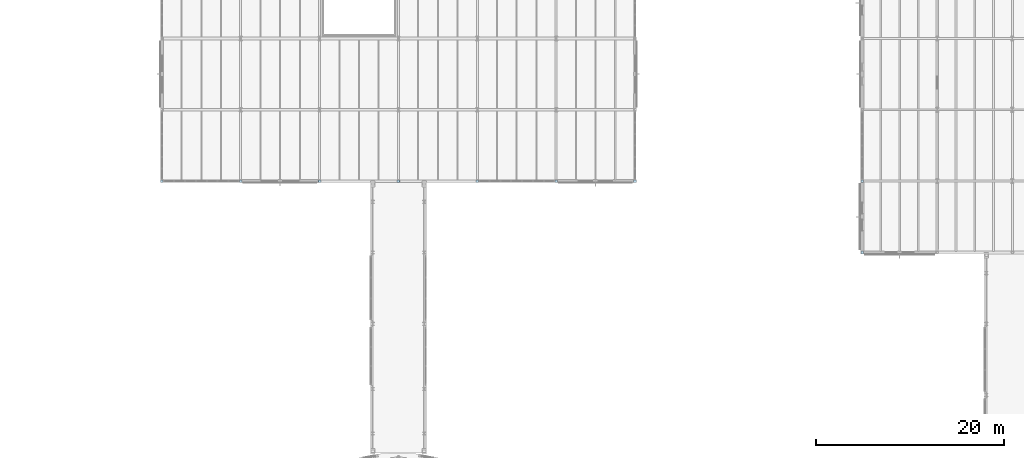
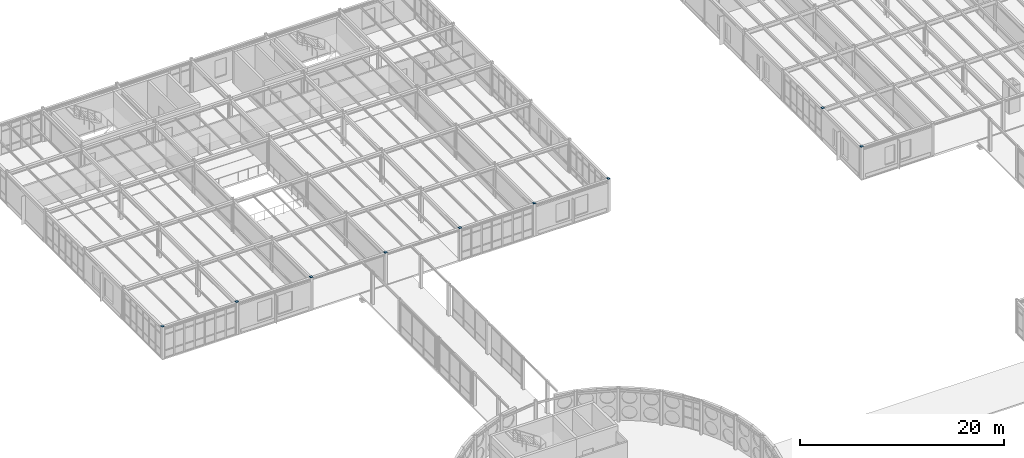
# One storey, part 155 of 189: 9 plates.
"""IFC4 building model written with IfcOpenShell, lengths in metres."""

import ifcopenshell
import ifcopenshell.guid

model = None  # the IFC model being written
_history = None  # IfcOwnerHistory: only IFC2X3 demands one
_inside = {}  # id of a spatial element -> (the spatial element, [elements in it])
_under = {}  # id of a project, library or spatial element -> (it, [spatial elements below it])
_declared = {}  # id of a project -> (the project, [libraries it declares])
_typed = {}  # id of a type object -> (the type object, [elements of that type])
_made_of = {}  # id of a material, layer set ... -> (it, [elements and type objects made of it])


def new_model(schema):
    """Start an empty IFC model of exactly this schema.

    Asked for "IFC4X3", IfcOpenShell would pick the latest addendum, in which some entities
    have other attributes; the version numbers below select the first issue.
    IFC2X3 requires an IfcOwnerHistory on every rooted entity: one is made here for all.
    """
    global model, _history
    if schema == "IFC4X3":
        model = ifcopenshell.file(schema_version=(4, 3, 0, 0))
    else:
        model = ifcopenshell.file(schema=schema)
    _inside.clear()
    _under.clear()
    _declared.clear()
    _typed.clear()
    _made_of.clear()
    _history = None
    if model.schema == "IFC2X3":
        org = make("IfcOrganization", Name="unknown")
        user = make(
            "IfcPersonAndOrganization",
            ThePerson=make("IfcPerson", FamilyName="unknown"),
            TheOrganization=org,
        )
        app = make(
            "IfcApplication",
            ApplicationDeveloper=org,
            Version="unknown",
            ApplicationFullName="unknown",
            ApplicationIdentifier="unknown",
        )
        _history = make(
            "IfcOwnerHistory",
            OwningUser=user,
            OwningApplication=app,
            ChangeAction="ADDED",
            CreationDate=0,
        )
    return model


def make(cls, **values):
    """One entity of the class cls with the attributes given. An attribute that is None is left unset."""
    return model.create_entity(
        cls, **{name: value for name, value in values.items() if value is not None}
    )


def rooted(cls, **values):
    """An entity with a GlobalId (a new one), such as an element, a storey or a relation."""
    return make(cls, GlobalId=ifcopenshell.guid.new(), OwnerHistory=_history, **values)


def si_unit(unit_type, name, prefix=None):
    """IfcSIUnit, for example si_unit("LENGTHUNIT", "METRE", prefix="MILLI")."""
    return make("IfcSIUnit", UnitType=unit_type, Prefix=prefix, Name=name)


def assignment(units):
    """IfcUnitAssignment: the units of a project."""
    return None if units is None else make("IfcUnitAssignment", Units=units)


def point(xyz):
    """IfcCartesianPoint."""
    return None if xyz is None else make("IfcCartesianPoint", Coordinates=xyz)


def direction(xyz):
    """IfcDirection."""
    return None if xyz is None else make("IfcDirection", DirectionRatios=xyz)


def frame(location, z_axis=None, x_axis=None):
    """IfcAxis2Placement3D, a coordinate frame: its origin and axes. An axis left out is left unset."""
    return make(
        "IfcAxis2Placement3D",
        Location=point(location),
        Axis=direction(z_axis),
        RefDirection=direction(x_axis),
    )


def frame_2d(location, x_axis=None):
    """IfcAxis2Placement2D, a coordinate frame in the plane: its origin and x axis."""
    return make(
        "IfcAxis2Placement2D", Location=point(location), RefDirection=direction(x_axis)
    )


def origin():
    """The frame at (0, 0, 0) with its axes left unset."""
    return frame((0.0, 0.0, 0.0))


def origin_2d():
    """The frame at (0, 0) in the plane with its x axis left unset."""
    return frame_2d((0.0, 0.0))


def place(relative_to, where):
    """IfcLocalPlacement: puts the frame where relative to a parent placement (None: the world)."""
    return make(
        "IfcLocalPlacement", PlacementRelTo=relative_to, RelativePlacement=where
    )


def context(
    kind, dimensions, precision=None, world=None, true_north=None, identifier=None
):
    """IfcGeometricRepresentationContext, for example the 3D "Model" context."""
    return make(
        "IfcGeometricRepresentationContext",
        ContextIdentifier=identifier,
        ContextType=kind,
        CoordinateSpaceDimension=dimensions,
        Precision=precision,
        WorldCoordinateSystem=world,
        TrueNorth=true_north,
    )


def subcontext(parent, identifier, kind, view, scale=None):
    """IfcGeometricRepresentationSubContext, for example "Body" below "Model"."""
    return make(
        "IfcGeometricRepresentationSubContext",
        ContextIdentifier=identifier,
        ContextType=kind,
        ParentContext=parent,
        TargetScale=scale,
        TargetView=view,
    )


def project(units=None, contexts=None):
    """IfcProject with its units and contexts."""
    return rooted(
        "IfcProject",
        Name="project",
        RepresentationContexts=contexts,
        UnitsInContext=assignment(units),
    )


def spatial(cls, under=None, at=None, **own):
    """A site, building, storey or space (cls), placed at a placement, below another one or the project."""
    s = rooted(cls, ObjectPlacement=at, **own)
    if under is not None:
        _under.setdefault(under.id(), (under, []))[1].append(s)
    return s


def profile(cls, at=None, kind="AREA", **sizes):
    """A parametric profile (cls). Its sizes go by their IFC names, for example OverallWidth=200.0."""
    return make(cls, ProfileType=kind, Position=at, **sizes)


def rectangle(**sizes):
    """IfcRectangleProfileDef."""
    return profile("IfcRectangleProfileDef", **sizes)


def extrude(swept, where, along, depth):
    """IfcExtrudedAreaSolid: the profile swept, set in the frame where, extruded along a direction by depth."""
    return make(
        "IfcExtrudedAreaSolid",
        SweptArea=swept,
        Position=where,
        ExtrudedDirection=direction(along),
        Depth=depth,
    )


def shape(context_of_items, identifier, shape_type, items):
    """IfcShapeRepresentation: the items that make up one representation, for example the "Body"."""
    return make(
        "IfcShapeRepresentation",
        ContextOfItems=context_of_items,
        RepresentationIdentifier=identifier,
        RepresentationType=shape_type,
        Items=items,
    )


def material(Name=None, Category=None):
    """IfcMaterial."""
    return make("IfcMaterial", Name=Name, Category=Category)


def layer(
    of_material, thickness, ventilated=None, Name=None, Category=None, Priority=None
):
    """IfcMaterialLayer: one layer of a wall or slab, of a material (None: an air gap)."""
    return make(
        "IfcMaterialLayer",
        Material=of_material,
        LayerThickness=thickness,
        IsVentilated=ventilated,
        Name=Name,
        Category=Category,
        Priority=Priority,
    )


def layer_set(layers, Name=None):
    """IfcMaterialLayerSet."""
    return make("IfcMaterialLayerSet", MaterialLayers=layers, LayerSetName=Name)


def made_of(thing, what):
    """Note that an element or type object is made of a material, layer set ...; save() writes the relation."""
    if what is not None:
        _made_of.setdefault(what.id(), (what, []))[1].append(thing)
    return thing


def type_object(cls, material=None, **own):
    """A type object (cls), such as IfcWallType, which elements share."""
    return made_of(rooted(cls, **own), material)


def element(
    cls,
    number,
    at=None,
    inside=None,
    cuts=None,
    type_object=None,
    material=None,
    context=None,
    identifier="Body",
    shape_type=None,
    held_by="IfcProductDefinitionShape",
    body=None,
    shapes=None,
    **own,
):
    """One element of the class cls, such as IfcWall. Its Tag is "e" and its number.

    at: its placement. inside: the storey or other place that contains it. cuts: it is an
    opening in that element (IfcRelVoidsElement). A single representation is given by context,
    identifier, shape_type and body (its items); several are given by shapes. held_by: the class
    of the entity that holds the representations. save() writes the other relations.
    """
    e = rooted(cls, Tag="e%d" % number, ObjectPlacement=at, **own)
    if body is not None:
        shapes = [shape(context, identifier, shape_type, body)]
    if shapes is not None:
        e.Representation = make(held_by, Representations=shapes)
    if inside is not None:
        _inside.setdefault(inside.id(), (inside, []))[1].append(e)
    if cuts is not None:
        rooted(
            "IfcRelVoidsElement", RelatingBuildingElement=cuts, RelatedOpeningElement=e
        )
    if type_object is not None:
        _typed.setdefault(type_object.id(), (type_object, []))[1].append(e)
    return made_of(e, material)


def aggregate(whole, parts):
    """IfcRelAggregates: a whole, such as a stair, and the parts it consists of."""
    return rooted("IfcRelAggregates", RelatingObject=whole, RelatedObjects=parts)


def save(model, path):
    """Write the relations noted so far, then the file.

    IfcRelAggregates (storeys below a building ...), IfcRelContainedInSpatialStructure (elements
    in a storey), IfcRelDefinesByType, IfcRelAssociatesMaterial and IfcRelDeclares: one each for
    every whole, place, type object, material and project.
    """
    for whole, parts in _under.values():
        aggregate(whole, parts)
    for where, things in _inside.values():
        rooted(
            "IfcRelContainedInSpatialStructure",
            RelatedElements=things,
            RelatingStructure=where,
        )
    for kind, things in _typed.values():
        rooted("IfcRelDefinesByType", RelatedObjects=things, RelatingType=kind)
    for what, things in _made_of.values():
        rooted("IfcRelAssociatesMaterial", RelatedObjects=things, RelatingMaterial=what)
    for by, libraries in _declared.values():
        rooted("IfcRelDeclares", RelatingContext=by, RelatedDefinitions=libraries)
    model.write(path)


model = new_model("IFC4")

# Units and contexts
model_context = context("Model", 3, precision=1e-05, world=origin(), true_north=direction((0.0, 1.0)))
body_context = subcontext(model_context, "Body", "Model", "MODEL_VIEW")
ifc_project = project(units=[si_unit("LENGTHUNIT", "METRE"), si_unit("AREAUNIT", "SQUARE_METRE"), si_unit("VOLUMEUNIT", "CUBIC_METRE"), si_unit("PLANEANGLEUNIT", "RADIAN"), si_unit("MASSUNIT", "GRAM", prefix="KILO")], contexts=[model_context])

# Site, building, storey
site_placement = place(None, origin())
site = spatial("IfcSite", under=ifc_project, at=site_placement, CompositionType="ELEMENT")
building_placement = place(site_placement, origin())
building = spatial("IfcBuilding", under=site, at=building_placement, Name="Montecoro Central Library", CompositionType="ELEMENT")
storey_placement = place(building_placement, frame((0.0, 0.0, 9.179931640625)))
storey = spatial("IfcBuildingStorey", under=building, at=storey_placement, Name="L02", CompositionType="ELEMENT", Elevation=9.179931640625)

# Plates
ifc_material = material(Name="Steel S355", Category="steel")
ifc_layer = layer(ifc_material, 0.01611328125)
ifc_layer_set = layer_set([ifc_layer], Name="Steel S355")
plate_type = type_object("IfcPlateType", Name="PLT-CAP-16", PredefinedType="SHEET", material=ifc_layer_set)
for number, where, z_axis, x_axis, name in (
    (1, (66.39990234375, 81.0, 3.875), (0.0, 0.0, 1.0), (1.0, 0.0, 0.0), "V2-L02-CAPPL-9-L"),
    (2, (74.800048828125, 81.0, 3.875), (0.0, 0.0, 1.0), (1.0, 0.0, 0.0), "V2-L02-CAPPL-10-L"),
    (3, (83.199951171875, 81.0, 3.875), (0.0, 0.0, 1.0), (1.0, 0.0, 0.0), "V2-L02-CAPPL-11-L"),
    (4, (91.60009765625, 81.0, 3.875), (0.0, 0.0, 1.0), (1.0, 0.0, 0.0), "V2-L02-CAPPL-12-L"),
    (5, (100.0, 81.0, 3.875), (0.0, 0.0, 1.0), (1.0, 0.0, 0.0), "V2-L02-CAPPL-13-L"),
    (6, (108.39990234375, 81.0, 3.875), (0.0, 0.0, 1.0), (1.0, 0.0, 0.0), "V2-L02-CAPPL-14-L"),
    (7, (116.800048828125, 81.0, 3.875), (0.0, 0.0, 1.0), (1.0, 0.0, 0.0), "V2-L02-CAPPL-15-L"),
    (8, (141.0, 73.39990234375, 3.85009765625), (0.0, 0.0, 1.0), (1.0, 0.0, 0.0), "V5-L02-CAPPL-18-K"),
    (9, (141.0, 81.0, 3.85009765625), (0.0, 0.0, 1.0), (1.0, 0.0, 0.0), "V5-L02-CAPPL-18-L"),
):
    element("IfcPlate", number, at=place(storey_placement, frame(where, z_axis=z_axis, x_axis=x_axis)), inside=storey, type_object=plate_type, Name=name, PredefinedType="SHEET", context=body_context, shape_type="SweptSolid", body=[
        extrude(rectangle(XDim=0.280029296875, YDim=0.280029296875, at=origin_2d()), origin(), (0.0, 0.0, 1.0), 0.01611328125),
    ])

save(model, "model.ifc")
